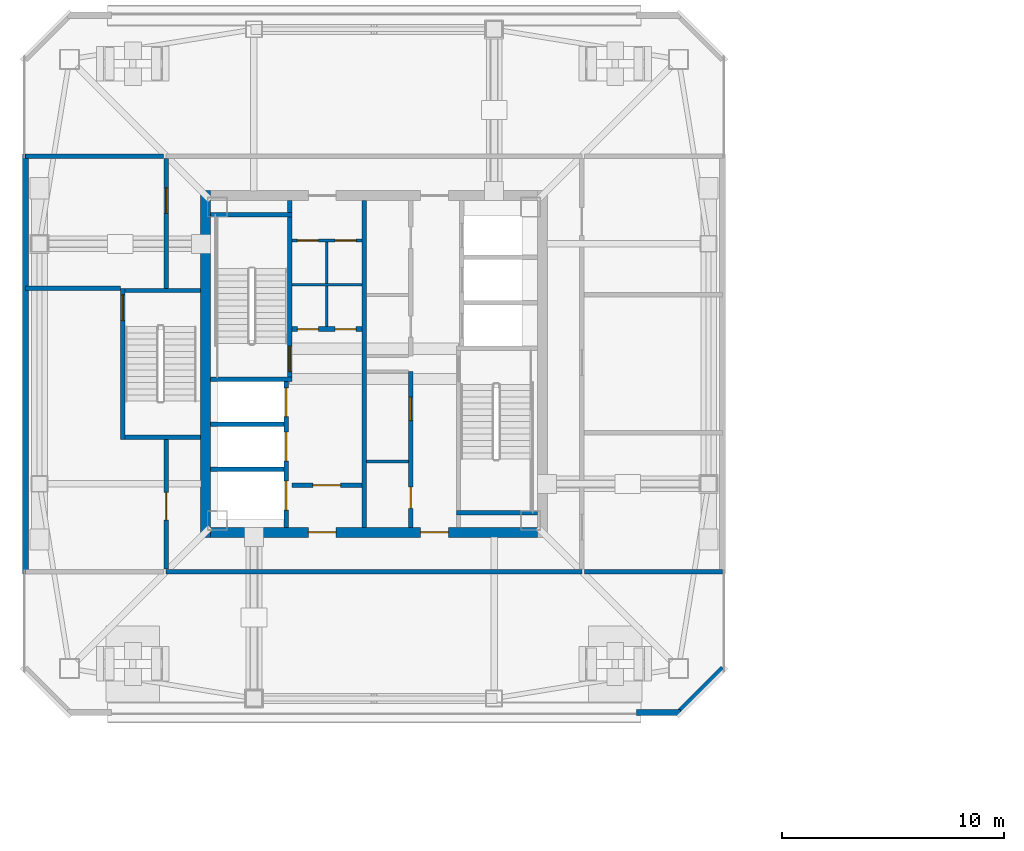
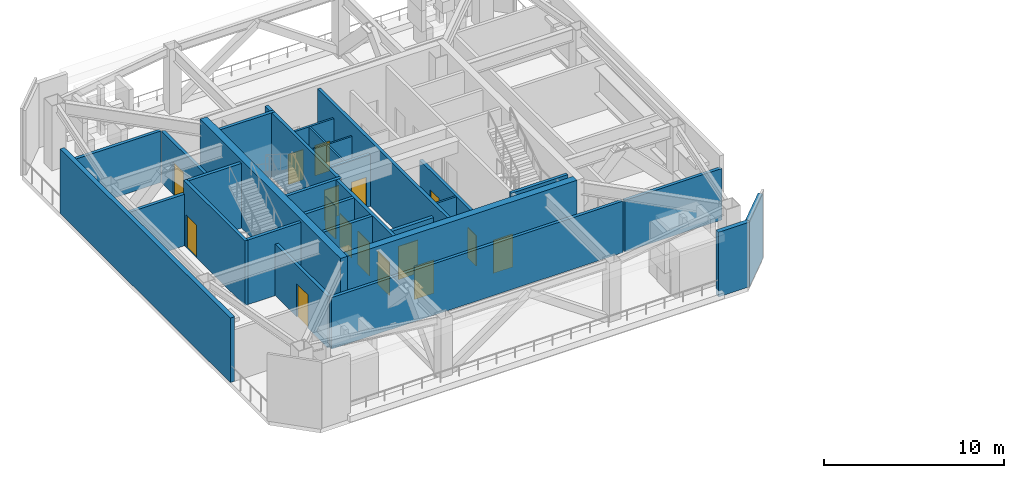
# One storey, part 5 of 15: 29 walls, 16 doors, 16 openings.
"""IFC4 building model written with IfcOpenShell, lengths in metres."""

from ifc_helpers import new_model, si_unit, direction, frame, frame_2d, origin, place, context, subcontext, project, spatial, rectangle, extrude, material, layer, layer_set, type_object, element, fill, save


model = new_model("IFC4")

# Units and contexts
model_context = context("Model", 3, precision=1e-05, world=origin(), true_north=direction((0.0, 1.0)))
body_context = subcontext(model_context, "Body", "Model", "MODEL_VIEW")
ifc_project = project(units=[si_unit("LENGTHUNIT", "METRE"), si_unit("AREAUNIT", "SQUARE_METRE"), si_unit("VOLUMEUNIT", "CUBIC_METRE"), si_unit("PLANEANGLEUNIT", "RADIAN"), si_unit("MASSUNIT", "GRAM", prefix="KILO")], contexts=[model_context])

# Site, building, storey
site_placement = place(None, origin())
site = spatial("IfcSite", under=ifc_project, at=site_placement, CompositionType="ELEMENT")
building_placement = place(site_placement, origin())
building = spatial("IfcBuilding", under=site, at=building_placement, Name="Tashvorn Skyway Center", CompositionType="ELEMENT")
storey_placement = place(building_placement, frame((0.0, 0.0, 246.800048828125)))
storey = spatial("IfcBuildingStorey", under=building, at=storey_placement, Name="L67", CompositionType="ELEMENT", Elevation=246.800048828125)

# Wall
ifc_material_1 = material(Name="Concrete C50/60", Category="concrete")
ifc_layer_1 = layer(ifc_material_1, 0.449951171875)
ifc_layer_set_1 = layer_set([ifc_layer_1], Name="Concrete C50/60")
wall_type_1 = type_object("IfcWallType", Name="WALL-CORE-450", PredefinedType="SHEAR", material=ifc_layer_set_1)
wall_1_placement = place(storey_placement, frame((34.425048828125, 24.199951171875, 0.0), z_axis=(0.0, 0.0, 1.0), x_axis=(0.0, 1.0, 0.0)))
element("IfcWall", 1, at=wall_1_placement, inside=storey, type_object=wall_type_1, Name="Tower 1 L67 West Core Shear Wall", PredefinedType="SHEAR", context=body_context, shape_type="SweptSolid", body=[
    extrude(rectangle(XDim=15.60009765625, YDim=0.449951171875, at=frame_2d((7.800048828125, 0.0))), origin(), (0.0, 0.0, 1.0), 4.599853515625),
])

# Wall, openings, doors
wall_2_placement = place(storey_placement, frame((49.35009765625, 24.425048828125, 0.0), z_axis=(0.0, 0.0, 1.0), x_axis=(-1.0, 0.0, 0.0)))
wall_2 = element("IfcWall", 2, at=wall_2_placement, inside=storey, type_object=wall_type_1, Name="Tower 1 L67 South Core Shear Wall", PredefinedType="SHEAR", context=body_context, shape_type="SweptSolid", body=[
    extrude(rectangle(XDim=14.7001953125, YDim=0.449951171875, at=frame_2d((7.35009765625, 0.0))), origin(), (0.0, 0.0, 1.0), 4.599853515625),
])
opening_1_placement = place(wall_2_placement, frame((9.050048828125, 0.0, 0.0)))
opening_1 = element("IfcOpeningElement", 3, at=opening_1_placement, cuts=wall_2, Name="Opening D-FFL-1250", PredefinedType="OPENING", context=body_context, shape_type="SweptSolid", body=[
    extrude(rectangle(XDim=1.25, YDim=2.25, at=frame_2d((0.625, 1.125))), frame((0.0, 0.23486328125, 0.0), z_axis=(0.0, -1.0, 0.0), x_axis=(1.0, 0.0, 0.0)), (0.0, 0.0, 1.0), 0.469970703125),
])
opening_2_placement = place(wall_2_placement, frame((4.0, 0.0, 0.0)))
opening_2 = element("IfcOpeningElement", 4, at=opening_2_placement, cuts=wall_2, Name="Opening D-FFL-1250", PredefinedType="OPENING", context=body_context, shape_type="SweptSolid", body=[
    extrude(rectangle(XDim=1.25, YDim=2.25, at=frame_2d((0.625, 1.125))), frame((0.0, 0.23486328125, 0.0), z_axis=(0.0, -1.0, 0.0), x_axis=(1.0, 0.0, 0.0)), (0.0, 0.0, 1.0), 0.469970703125),
])
ifc_material_2 = material(Name="Hollow galvanized steel fire door assembly", Category="steel")
door_type_1 = type_object("IfcDoorType", Name="DOOR-FFL-1250", OperationType="NOTDEFINED", PredefinedType="DOOR", material=ifc_material_2)
door_1_placement = place(opening_1_placement, origin())
door_1 = element("IfcDoor", 5, at=door_1_placement, inside=storey, type_object=door_type_1, Name="Tower 1 L67 Core South Firefighting Exit Door", OperationType="SINGLE_SWING_LEFT", OverallHeight=2.25, OverallWidth=1.25, PredefinedType="DOOR", context=body_context, shape_type="SweptSolid", body=[
    extrude(rectangle(XDim=1.25, YDim=2.25, at=frame_2d((0.625, 1.125))), frame((0.0, 0.02490234375, 0.0), z_axis=(0.0, -1.0, 0.0), x_axis=(1.0, 0.0, 0.0)), (0.0, 0.0, 1.0), 0.050048828125),
])
fill(opening_1, door_1)
door_2_placement = place(opening_2_placement, origin())
door_2 = element("IfcDoor", 6, at=door_2_placement, inside=storey, type_object=door_type_1, Name="Tower 1 L67 Core South Lift Lobby Door", OperationType="SINGLE_SWING_RIGHT", OverallHeight=2.25, OverallWidth=1.25, PredefinedType="DOOR", context=body_context, shape_type="SweptSolid", body=[
    extrude(rectangle(XDim=1.25, YDim=2.25, at=frame_2d((0.625, 1.125))), frame((0.0, 0.02490234375, 0.0), z_axis=(0.0, -1.0, 0.0), x_axis=(1.0, 0.0, 0.0)), (0.0, 0.0, 1.0), 0.050048828125),
])
fill(opening_2, door_2)

# Walls
ifc_material_3 = material(Name="Precast concrete C40/50", Category="concrete")
ifc_layer_2 = layer(ifc_material_3, 0.280029296875)
ifc_layer_set_2 = layer_set([ifc_layer_2], Name="Precast concrete C40/50")
wall_type_2 = type_object("IfcWallType", Name="WALL-EXT-280", PredefinedType="SOLIDWALL", material=ifc_layer_set_2)
wall_3_placement = place(storey_placement, frame((55.780029296875, 16.320068359375, 0.0), z_axis=(0.0, 0.0, 1.0), x_axis=(-1.0, 0.0, 0.0)))
element("IfcWall", 7, at=wall_3_placement, inside=storey, type_object=wall_type_2, Name="Tower 1 L67 South Spandrel Pier L", PredefinedType="SOLIDWALL", context=body_context, shape_type="SweptSolid", body=[
    extrude(rectangle(XDim=1.97998046875, YDim=0.280029296875, at=frame_2d((0.989990234375, 0.0))), origin(), (0.0, 0.0, 1.0), 4.3798828125),
])
wall_4_placement = place(storey_placement, frame((26.320068359375, 22.550048828125, 0.0), z_axis=(0.0, 0.0, 1.0), x_axis=(0.0, 1.0, 0.0)))
element("IfcWall", 8, at=wall_4_placement, inside=storey, type_object=wall_type_2, Name="Tower 1 L67 West Plant Wing Wall", PredefinedType="SOLIDWALL", context=body_context, shape_type="SweptSolid", body=[
    extrude(rectangle(XDim=18.89990234375, YDim=0.280029296875, at=frame_2d((9.449951171875, 0.0))), origin(), (0.0, 0.0, 1.0), 4.3798828125),
])
wall_5_placement = place(storey_placement, frame((57.699951171875, 18.300048828125, 0.0), z_axis=(0.0, 0.0, 1.0), x_axis=(-0.707106781187, -0.707106781187, 0.0)))
element("IfcWall", 9, at=wall_5_placement, inside=storey, type_object=wall_type_2, Name="Tower 1 L67 SE Precast Chamfer Wall", PredefinedType="SOLIDWALL", context=body_context, shape_type="SweptSolid", body=[
    extrude(rectangle(XDim=2.828369140625, YDim=0.280029296875, at=frame_2d((1.4140625, 0.0))), origin(), (0.0, 0.0, 1.0), 4.3798828125),
])

# Wall, openings, doors
ifc_material_4 = material(Name="Concrete C40/50", Category="concrete")
ifc_layer_3 = layer(ifc_material_4, 0.219970703125)
ifc_layer_set_3 = layer_set([ifc_layer_3], Name="Concrete C40/50")
wall_type_3 = type_object("IfcWallType", Name="WALL-FFL-220", PredefinedType="SOLIDWALL", material=ifc_layer_set_3)
wall_6_placement = place(storey_placement, frame((38.300048828125, 33.56005859375, 0.0), z_axis=(0.0, 0.0, 1.0), x_axis=(1.0, 0.0, 0.0)))
wall_6 = element("IfcWall", 10, at=wall_6_placement, inside=storey, type_object=wall_type_3, Name="Tower 1 L67 Firefighting Lobby North Wall", PredefinedType="SOLIDWALL", context=body_context, shape_type="SweptSolid", body=[
    extrude(rectangle(XDim=3.14990234375, YDim=0.219970703125, at=frame_2d((1.574951171875, 0.0))), origin(), (0.0, 0.0, 1.0), 3.490966796875),
])
opening_3_placement = place(wall_6_placement, frame((0.25, 0.0, 0.0)))
opening_3 = element("IfcOpeningElement", 11, at=opening_3_placement, cuts=wall_6, Name="Opening D-RT-950", PredefinedType="OPENING", context=body_context, shape_type="SweptSolid", body=[
    extrude(rectangle(XDim=0.949951171875, YDim=2.050048828125, at=frame_2d((0.47509765625, 1.02490234375))), frame((0.0, 0.119873046875, 0.0), z_axis=(0.0, -1.0, 0.0), x_axis=(1.0, 0.0, 0.0)), (0.0, 0.0, 1.0), 0.239990234375),
])
opening_4_placement = place(wall_6_placement, frame((1.949951171875, 0.0, 0.0)))
opening_4 = element("IfcOpeningElement", 12, at=opening_4_placement, cuts=wall_6, Name="Opening D-RT-950", PredefinedType="OPENING", context=body_context, shape_type="SweptSolid", body=[
    extrude(rectangle(XDim=0.949951171875, YDim=2.050048828125, at=frame_2d((0.47509765625, 1.02490234375))), frame((0.0, 0.119873046875, 0.0), z_axis=(0.0, -1.0, 0.0), x_axis=(1.0, 0.0, 0.0)), (0.0, 0.0, 1.0), 0.239990234375),
])
door_type_2 = type_object("IfcDoorType", Name="DOOR-RATED-950", OperationType="NOTDEFINED", PredefinedType="DOOR", material=ifc_material_2)
door_3_placement = place(opening_3_placement, origin())
door_3 = element("IfcDoor", 13, at=door_3_placement, inside=storey, type_object=door_type_2, Name="Tower 1 L67 Core Mail Room Door", OperationType="SINGLE_SWING_LEFT", OverallHeight=2.050048828125, OverallWidth=0.949951171875, PredefinedType="DOOR", context=body_context, shape_type="SweptSolid", body=[
    extrude(rectangle(XDim=0.949951171875, YDim=2.050048828125, at=frame_2d((0.47509765625, 1.02490234375))), frame((0.0, 0.02490234375, 0.0), z_axis=(0.0, -1.0, 0.0), x_axis=(1.0, 0.0, 0.0)), (0.0, 0.0, 1.0), 0.050048828125),
])
fill(opening_3, door_3)
door_4_placement = place(opening_4_placement, origin())
door_4 = element("IfcDoor", 14, at=door_4_placement, inside=storey, type_object=door_type_2, Name="Tower 1 L67 Core Supply Closet Door", OperationType="SINGLE_SWING_RIGHT", OverallHeight=2.050048828125, OverallWidth=0.949951171875, PredefinedType="DOOR", context=body_context, shape_type="SweptSolid", body=[
    extrude(rectangle(XDim=0.949951171875, YDim=2.050048828125, at=frame_2d((0.47509765625, 1.02490234375))), frame((0.0, 0.02490234375, 0.0), z_axis=(0.0, -1.0, 0.0), x_axis=(1.0, 0.0, 0.0)), (0.0, 0.0, 1.0), 0.050048828125),
])
fill(opening_4, door_4)

# Wall, opening, door
wall_7_placement = place(storey_placement, frame((38.300048828125, 26.5400390625, 0.0), z_axis=(0.0, 0.0, 1.0), x_axis=(1.0, 0.0, 0.0)))
wall_7 = element("IfcWall", 15, at=wall_7_placement, inside=storey, type_object=wall_type_3, Name="Tower 1 L67 Firefighting Lobby South Wall", PredefinedType="SOLIDWALL", context=body_context, shape_type="SweptSolid", body=[
    extrude(rectangle(XDim=3.14990234375, YDim=0.219970703125, at=frame_2d((1.574951171875, 0.0))), origin(), (0.0, 0.0, 1.0), 3.490966796875),
])
opening_5_placement = place(wall_7_placement, frame((0.949951171875, 0.0, 0.0)))
opening_5 = element("IfcOpeningElement", 16, at=opening_5_placement, cuts=wall_7, Name="Opening D-FFL-1250", PredefinedType="OPENING", context=body_context, shape_type="SweptSolid", body=[
    extrude(rectangle(XDim=1.25, YDim=2.25, at=frame_2d((0.625, 1.125))), frame((0.0, 0.119873046875, 0.0), z_axis=(0.0, -1.0, 0.0), x_axis=(1.0, 0.0, 0.0)), (0.0, 0.0, 1.0), 0.239990234375),
])
door_5_placement = place(opening_5_placement, origin())
door_5 = element("IfcDoor", 17, at=door_5_placement, inside=storey, type_object=door_type_1, Name="Tower 1 L67 Firefighting Lobby Egress Door", OperationType="SINGLE_SWING_LEFT", OverallHeight=2.25, OverallWidth=1.25, PredefinedType="DOOR", context=body_context, shape_type="SweptSolid", body=[
    extrude(rectangle(XDim=1.25, YDim=2.25, at=frame_2d((0.625, 1.125))), frame((0.0, 0.02490234375, 0.0), z_axis=(0.0, -1.0, 0.0), x_axis=(1.0, 0.0, 0.0)), (0.0, 0.0, 1.0), 0.050048828125),
])
fill(opening_5, door_5)

# Walls
ifc_material_5 = material(Name="Gypsum board on cold-formed steel stud framing", Category="steel")
ifc_layer_4 = layer(ifc_material_5, 0.110107421875)
ifc_layer_set_4 = layer_set([ifc_layer_4], Name="Gypsum board on cold-formed steel stud framing")
wall_type_4 = type_object("IfcWallType", Name="WALL-RATED-110", PredefinedType="PARTITIONING", material=ifc_layer_set_4)
wall_8_placement = place(storey_placement, frame((39.8798828125, 33.679931640625, 0.0), z_axis=(0.0, 0.0, 1.0), x_axis=(0.0, 1.0, 0.0)))
element("IfcWall", 18, at=wall_8_placement, inside=storey, type_object=wall_type_4, Name="Tower 1 L67 Core Cross Vertical", PredefinedType="PARTITIONING", context=body_context, shape_type="SweptSolid", body=[
    extrude(rectangle(XDim=3.800048828125, YDim=0.110107421875, at=frame_2d((1.89990234375, 0.0))), origin(), (0.0, 0.0, 1.0), 3.490966796875),
])
wall_9_placement = place(storey_placement, frame((38.300048828125, 35.550048828125, 0.0), z_axis=(0.0, 0.0, 1.0), x_axis=(1.0, 0.0, 0.0)))
element("IfcWall", 19, at=wall_9_placement, inside=storey, type_object=wall_type_4, Name="Tower 1 L67 Core Cross Horizontal", PredefinedType="PARTITIONING", context=body_context, shape_type="SweptSolid", body=[
    extrude(rectangle(XDim=3.14990234375, YDim=0.110107421875, at=frame_2d((1.574951171875, 0.0))), origin(), (0.0, 0.0, 1.0), 3.490966796875),
])

# Wall, openings, doors
ifc_layer_5 = layer(ifc_material_5, 0.135009765625)
ifc_layer_set_5 = layer_set([ifc_layer_5], Name="Gypsum board on cold-formed steel stud framing")
wall_type_5 = type_object("IfcWallType", Name="WALL-RATED-135", PredefinedType="PARTITIONING", material=ifc_layer_set_5)
wall_10_placement = place(storey_placement, frame((38.300048828125, 37.550048828125, 0.0), z_axis=(0.0, 0.0, 1.0), x_axis=(1.0, 0.0, 0.0)))
wall_10 = element("IfcWall", 20, at=wall_10_placement, inside=storey, type_object=wall_type_5, Name="Tower 1 L67 Core Service Lobby Wall", PredefinedType="PARTITIONING", context=body_context, shape_type="SweptSolid", body=[
    extrude(rectangle(XDim=3.14990234375, YDim=0.135009765625, at=frame_2d((1.574951171875, 0.0))), origin(), (0.0, 0.0, 1.0), 3.490966796875),
])
opening_6_placement = place(wall_10_placement, frame((0.25, 0.0, 0.0)))
opening_6 = element("IfcOpeningElement", 21, at=opening_6_placement, cuts=wall_10, Name="Opening D-RT-950", PredefinedType="OPENING", context=body_context, shape_type="SweptSolid", body=[
    extrude(rectangle(XDim=0.949951171875, YDim=2.050048828125, at=frame_2d((0.47509765625, 1.02490234375))), frame((0.0, 0.077392578125, 0.0), z_axis=(0.0, -1.0, 0.0), x_axis=(1.0, 0.0, 0.0)), (0.0, 0.0, 1.0), 0.155029296875),
])
opening_7_placement = place(wall_10_placement, frame((1.949951171875, 0.0, 0.0)))
opening_7 = element("IfcOpeningElement", 22, at=opening_7_placement, cuts=wall_10, Name="Opening D-RT-950", PredefinedType="OPENING", context=body_context, shape_type="SweptSolid", body=[
    extrude(rectangle(XDim=0.949951171875, YDim=2.050048828125, at=frame_2d((0.47509765625, 1.02490234375))), frame((0.0, 0.077392578125, 0.0), z_axis=(0.0, -1.0, 0.0), x_axis=(1.0, 0.0, 0.0)), (0.0, 0.0, 1.0), 0.155029296875),
])
door_6_placement = place(opening_6_placement, origin())
door_6 = element("IfcDoor", 23, at=door_6_placement, inside=storey, type_object=door_type_2, Name="Tower 1 L67 Core Cleaner Store Door", OperationType="SINGLE_SWING_LEFT", OverallHeight=2.050048828125, OverallWidth=0.949951171875, PredefinedType="DOOR", context=body_context, shape_type="SweptSolid", body=[
    extrude(rectangle(XDim=0.949951171875, YDim=2.050048828125, at=frame_2d((0.47509765625, 1.02490234375))), frame((0.0, 0.02490234375, 0.0), z_axis=(0.0, -1.0, 0.0), x_axis=(1.0, 0.0, 0.0)), (0.0, 0.0, 1.0), 0.050048828125),
])
fill(opening_6, door_6)
door_7_placement = place(opening_7_placement, origin())
door_7 = element("IfcDoor", 24, at=door_7_placement, inside=storey, type_object=door_type_2, Name="Tower 1 L67 Core Accessible WC Door", OperationType="SINGLE_SWING_RIGHT", OverallHeight=2.050048828125, OverallWidth=0.949951171875, PredefinedType="DOOR", context=body_context, shape_type="SweptSolid", body=[
    extrude(rectangle(XDim=0.949951171875, YDim=2.050048828125, at=frame_2d((0.47509765625, 1.02490234375))), frame((0.0, 0.02490234375, 0.0), z_axis=(0.0, -1.0, 0.0), x_axis=(1.0, 0.0, 0.0)), (0.0, 0.0, 1.0), 0.050048828125),
])
fill(opening_7, door_7)

# Walls
wall_11_placement = place(storey_placement, frame((41.669921875, 27.60009765625, 0.0), z_axis=(0.0, 0.0, 1.0), x_axis=(1.0, 0.0, 0.0)))
element("IfcWall", 25, at=wall_11_placement, inside=storey, type_object=wall_type_5, Name="Tower 1 L67 Freed Core Partition", PredefinedType="PARTITIONING", context=body_context, shape_type="SweptSolid", body=[
    extrude(rectangle(XDim=1.880126953125, YDim=0.135009765625, at=frame_2d((0.93994140625, 0.0))), origin(), (0.0, 0.0, 1.0), 3.490966796875),
])
ifc_layer_6 = layer(ifc_material_4, 0.199951171875)
ifc_layer_set_6 = layer_set([ifc_layer_6], Name="Concrete C40/50")
wall_type_6 = type_object("IfcWallType", Name="WALL-SHAFT-200", PredefinedType="SOLIDWALL", material=ifc_layer_set_6)
for number, where, z_axis, x_axis, name in (
    (26, (34.64990234375, 27.25, 0.0), (0.0, 0.0, 1.0), (1.0, 0.0, 0.0), "Tower 1 L67 FSAE Shaft Divider"),
    (27, (34.64990234375, 29.280029296875, 0.0), (0.0, 0.0, 1.0), (1.0, 0.0, 0.0), "Tower 1 L67 FSAE Shaft Divider"),
):
    element("IfcWall", number, at=place(storey_placement, frame(where, z_axis=z_axis, x_axis=x_axis)), inside=storey, type_object=wall_type_6, Name=name, PredefinedType="SOLIDWALL", context=body_context, shape_type="SweptSolid", body=[
        extrude(rectangle(XDim=3.300048828125, YDim=0.199951171875, at=frame_2d((1.64990234375, 0.0))), origin(), (0.0, 0.0, 1.0), 4.3798828125),
    ])

# Wall, openings, doors
wall_12_placement = place(storey_placement, frame((43.64990234375, 24.64990234375, 0.0), z_axis=(0.0, 0.0, 1.0), x_axis=(0.0, 1.0, 0.0)))
wall_12 = element("IfcWall", 28, at=wall_12_placement, inside=storey, type_object=wall_type_6, Name="Tower 1 L67 Low-Rise Core Wall", PredefinedType="SOLIDWALL", context=body_context, shape_type="SweptSolid", body=[
    extrude(rectangle(XDim=7.0, YDim=0.199951171875, at=frame_2d((3.5, 0.0))), origin(), (0.0, 0.0, 1.0), 3.490966796875),
])
opening_8_placement = place(wall_12_placement, frame((0.85009765625, 0.0, 0.0)))
opening_8 = element("IfcOpeningElement", 29, at=opening_8_placement, cuts=wall_12, Name="Opening D-RT-950", PredefinedType="OPENING", context=body_context, shape_type="SweptSolid", body=[
    extrude(rectangle(XDim=0.949951171875, YDim=2.050048828125, at=frame_2d((0.47509765625, 1.02490234375))), frame((0.0, 0.10986328125, 0.0), z_axis=(0.0, -1.0, 0.0), x_axis=(1.0, 0.0, 0.0)), (0.0, 0.0, 1.0), 0.219970703125),
])
opening_9_placement = place(wall_12_placement, frame((4.800048828125, 0.0, 0.0)))
opening_9 = element("IfcOpeningElement", 30, at=opening_9_placement, cuts=wall_12, Name="Opening D-RT-1050", PredefinedType="OPENING", context=body_context, shape_type="SweptSolid", body=[
    extrude(rectangle(XDim=1.050048828125, YDim=2.199951171875, at=frame_2d((0.52490234375, 1.10009765625))), frame((0.0, 0.10986328125, 0.0), z_axis=(0.0, -1.0, 0.0), x_axis=(1.0, 0.0, 0.0)), (0.0, 0.0, 1.0), 0.219970703125),
])
door_type_3 = type_object("IfcDoorType", Name="DOOR-RATED-1050", OperationType="NOTDEFINED", PredefinedType="DOOR", material=ifc_material_2)
door_8_placement = place(opening_9_placement, origin())
door_8 = element("IfcDoor", 31, at=door_8_placement, inside=storey, type_object=door_type_3, Name="Tower 1 L67 Freed Core Room Door", OperationType="SINGLE_SWING_RIGHT", OverallHeight=2.199951171875, OverallWidth=1.050048828125, PredefinedType="DOOR", context=body_context, shape_type="SweptSolid", body=[
    extrude(rectangle(XDim=1.050048828125, YDim=2.199951171875, at=frame_2d((0.52490234375, 1.10009765625))), frame((0.0, 0.02490234375, 0.0), z_axis=(0.0, -1.0, 0.0), x_axis=(1.0, 0.0, 0.0)), (0.0, 0.0, 1.0), 0.050048828125),
])
fill(opening_9, door_8)
door_9_placement = place(opening_8_placement, origin())
door_9 = element("IfcDoor", 32, at=door_9_placement, inside=storey, type_object=door_type_2, Name="Tower 1 L67 Core Print Room Door", OperationType="SINGLE_SWING_LEFT", OverallHeight=2.050048828125, OverallWidth=0.949951171875, PredefinedType="DOOR", context=body_context, shape_type="SweptSolid", body=[
    extrude(rectangle(XDim=0.949951171875, YDim=2.050048828125, at=frame_2d((0.47509765625, 1.02490234375))), frame((0.0, 0.02490234375, 0.0), z_axis=(0.0, -1.0, 0.0), x_axis=(1.0, 0.0, 0.0)), (0.0, 0.0, 1.0), 0.050048828125),
])
fill(opening_8, door_9)

# Wall
wall_13_placement = place(storey_placement, frame((51.35009765625, 22.64990234375, 0.0), z_axis=(0.0, 0.0, 1.0), x_axis=(-1.0, 0.0, 0.0)))
element("IfcWall", 33, at=wall_13_placement, inside=storey, type_object=wall_type_6, Name="Tower 1 L67 Plant Collar South Wall", PredefinedType="SOLIDWALL", context=body_context, shape_type="SweptSolid", body=[
    extrude(rectangle(XDim=18.7001953125, YDim=0.199951171875, at=frame_2d((9.35009765625, 0.0))), origin(), (0.0, 0.0, 1.0), 3.490966796875),
])

# Wall, opening, door
wall_14_placement = place(storey_placement, frame((32.64990234375, 22.77001953125, 0.0), z_axis=(0.0, 0.0, 1.0), x_axis=(0.0, 1.0, 0.0)))
wall_14 = element("IfcWall", 34, at=wall_14_placement, inside=storey, type_object=wall_type_6, Name="Tower 1 L67 Plant Collar West Wall", PredefinedType="SOLIDWALL", context=body_context, shape_type="SweptSolid", body=[
    extrude(rectangle(XDim=5.830078125, YDim=0.199951171875, at=frame_2d((2.9150390625, 0.0))), origin(), (0.0, 0.0, 1.0), 3.490966796875),
])
opening_10_placement = place(wall_14_placement, frame((2.199951171875, 0.0, 0.0)))
opening_10 = element("IfcOpeningElement", 35, at=opening_10_placement, cuts=wall_14, Name="Opening D-FFL-1250", PredefinedType="OPENING", context=body_context, shape_type="SweptSolid", body=[
    extrude(rectangle(XDim=1.25, YDim=2.25, at=frame_2d((0.625, 1.125))), frame((0.0, 0.10986328125, 0.0), z_axis=(0.0, -1.0, 0.0), x_axis=(1.0, 0.0, 0.0)), (0.0, 0.0, 1.0), 0.219970703125),
])
door_10_placement = place(opening_10_placement, origin())
door_10 = element("IfcDoor", 36, at=door_10_placement, inside=storey, type_object=door_type_1, Name="Tower 1 L67 West Refuge Area Door", OperationType="SINGLE_SWING_LEFT", OverallHeight=2.25, OverallWidth=1.25, PredefinedType="DOOR", context=body_context, shape_type="SweptSolid", body=[
    extrude(rectangle(XDim=1.25, YDim=2.25, at=frame_2d((0.625, 1.125))), frame((0.0, 0.02490234375, 0.0), z_axis=(0.0, -1.0, 0.0), x_axis=(1.0, 0.0, 0.0)), (0.0, 0.0, 1.0), 0.050048828125),
])
fill(opening_10, door_10)

wall_15_placement = place(storey_placement, frame((32.64990234375, 35.39990234375, 0.0), z_axis=(0.0, 0.0, 1.0), x_axis=(0.0, 1.0, 0.0)))
wall_15 = element("IfcWall", 37, at=wall_15_placement, inside=storey, type_object=wall_type_6, Name="Tower 1 L67 Plant Collar West Wall North", PredefinedType="SOLIDWALL", context=body_context, shape_type="SweptSolid", body=[
    extrude(rectangle(XDim=5.830078125, YDim=0.199951171875, at=frame_2d((2.9150390625, 0.0))), origin(), (0.0, 0.0, 1.0), 3.490966796875),
])
opening_11_placement = place(wall_15_placement, frame((3.3701171875, 0.0, 0.0)))
opening_11 = element("IfcOpeningElement", 38, at=opening_11_placement, cuts=wall_15, Name="Opening D-ST-1150", PredefinedType="OPENING", context=body_context, shape_type="SweptSolid", body=[
    extrude(rectangle(XDim=1.14990234375, YDim=2.199951171875, at=frame_2d((0.574951171875, 1.10009765625))), frame((0.0, 0.10986328125, 0.0), z_axis=(0.0, -1.0, 0.0), x_axis=(1.0, 0.0, 0.0)), (0.0, 0.0, 1.0), 0.219970703125),
])
door_type_4 = type_object("IfcDoorType", Name="DOOR-STAIR-1150", OperationType="NOTDEFINED", PredefinedType="DOOR", material=ifc_material_2)
door_11_placement = place(opening_11_placement, origin())
door_11 = element("IfcDoor", 39, at=door_11_placement, inside=storey, type_object=door_type_4, Name="Tower 1 L67 Turbine Control Plant Door", OperationType="SINGLE_SWING_RIGHT", OverallHeight=2.199951171875, OverallWidth=1.14990234375, PredefinedType="DOOR", context=body_context, shape_type="SweptSolid", body=[
    extrude(rectangle(XDim=1.14990234375, YDim=2.199951171875, at=frame_2d((0.574951171875, 1.10009765625))), frame((0.0, 0.02490234375, 0.0), z_axis=(0.0, -1.0, 0.0), x_axis=(1.0, 0.0, 0.0)), (0.0, 0.0, 1.0), 0.050048828125),
])
fill(opening_11, door_11)

# Walls
for number, where, z_axis, x_axis, name in (
    (40, (51.469970703125, 22.64990234375, 0.0), (0.0, 0.0, 1.0), (1.0, 0.0, 0.0), "Tower 1 L67 Plant Wing Wall ES"),
    (41, (26.320068359375, 41.35009765625, 0.0), (0.0, 0.0, 1.0), (1.0, 0.0, 0.0), "Tower 1 L67 Plant Wing Wall WN"),
):
    element("IfcWall", number, at=place(storey_placement, frame(where, z_axis=z_axis, x_axis=x_axis)), inside=storey, type_object=wall_type_6, Name=name, PredefinedType="SOLIDWALL", context=body_context, shape_type="SweptSolid", body=[
        extrude(rectangle(XDim=6.2099609375, YDim=0.199951171875, at=frame_2d((3.10498046875, 0.0))), origin(), (0.0, 0.0, 1.0), 3.490966796875),
    ])
wall_16_placement = place(storey_placement, frame((26.320068359375, 35.39990234375, 0.0), z_axis=(0.0, 0.0, 1.0), x_axis=(1.0, 0.0, 0.0)))
element("IfcWall", 42, at=wall_16_placement, inside=storey, type_object=wall_type_6, Name="Tower 1 L67 Plant Wing Wall WM1", PredefinedType="SOLIDWALL", context=body_context, shape_type="SweptSolid", body=[
    extrude(rectangle(XDim=4.280029296875, YDim=0.199951171875, at=frame_2d((2.14013671875, 0.0))), origin(), (0.0, 0.0, 1.0), 3.490966796875),
])

# Wall, opening, door
ifc_layer_7 = layer(ifc_material_4, 0.199951171875)
ifc_layer_set_7 = layer_set([ifc_layer_7], Name="Concrete C40/50")
wall_type_7 = type_object("IfcWallType", Name="WALL-STSHF-200", PredefinedType="SHEAR", material=ifc_layer_set_7)
wall_17_placement = place(storey_placement, frame((38.199951171875, 31.199951171875, 0.0), z_axis=(0.0, 0.0, 1.0), x_axis=(0.0, 1.0, 0.0)))
wall_17 = element("IfcWall", 43, at=wall_17_placement, inside=storey, type_object=wall_type_7, Name="Tower 1 L67 Stair 1 Enclosure Wall", PredefinedType="SHEAR", context=body_context, shape_type="SweptSolid", body=[
    extrude(rectangle(XDim=8.150146484375, YDim=0.199951171875, at=frame_2d((4.0751953125, 0.0))), origin(), (0.0, 0.0, 1.0), 4.3798828125),
])
opening_12_placement = place(wall_17_placement, frame((0.449951171875, 0.0, 0.0)))
opening_12 = element("IfcOpeningElement", 44, at=opening_12_placement, cuts=wall_17, Name="Opening D-ST-1150", PredefinedType="OPENING", context=body_context, shape_type="SweptSolid", body=[
    extrude(rectangle(XDim=1.14990234375, YDim=2.199951171875, at=frame_2d((0.574951171875, 1.10009765625))), frame((0.0, 0.10986328125, 0.0), z_axis=(0.0, -1.0, 0.0), x_axis=(1.0, 0.0, 0.0)), (0.0, 0.0, 1.0), 0.219970703125),
])
door_12_placement = place(opening_12_placement, origin())
door_12 = element("IfcDoor", 45, at=door_12_placement, inside=storey, type_object=door_type_4, Name="Tower 1 L67 Exit Stair 1 Door", OperationType="SINGLE_SWING_RIGHT", OverallHeight=2.199951171875, OverallWidth=1.14990234375, PredefinedType="DOOR", context=body_context, shape_type="SweptSolid", body=[
    extrude(rectangle(XDim=1.14990234375, YDim=2.199951171875, at=frame_2d((0.574951171875, 1.10009765625))), frame((0.0, 0.02490234375, 0.0), z_axis=(0.0, -1.0, 0.0), x_axis=(1.0, 0.0, 0.0)), (0.0, 0.0, 1.0), 0.050048828125),
])
fill(opening_12, door_12)

# Walls
for number, where, z_axis, x_axis, name in (
    (46, (34.64990234375, 31.300048828125, 0.0), (0.0, 0.0, 1.0), (1.0, 0.0, 0.0), "Tower 1 L67 Stair 1 South Wall"),
    (47, (34.64990234375, 38.699951171875, 0.0), (0.0, 0.0, 1.0), (1.0, 0.0, 0.0), "Tower 1 L67 Stair 1 North Wall"),
    (48, (45.699951171875, 25.300048828125, 0.0), (0.0, 0.0, 1.0), (1.0, 0.0, 0.0), "Tower 1 L67 Stair 2 South Wall"),
):
    element("IfcWall", number, at=place(storey_placement, frame(where, z_axis=z_axis, x_axis=x_axis)), inside=storey, type_object=wall_type_7, Name=name, PredefinedType="SHEAR", context=body_context, shape_type="SweptSolid", body=[
        extrude(rectangle(XDim=3.650146484375, YDim=0.199951171875, at=frame_2d((1.8251953125, 0.0))), origin(), (0.0, 0.0, 1.0), 4.3798828125),
    ])
wall_18_placement = place(storey_placement, frame((41.56005859375, 24.64990234375, 0.0), z_axis=(0.0, 0.0, 1.0), x_axis=(0.0, 1.0, 0.0)))
element("IfcWall", 49, at=wall_18_placement, inside=storey, type_object=wall_type_7, Name="Tower 1 L67 Firefighting Lobby East Smoke Barrier", PredefinedType="SHEAR", context=body_context, shape_type="SweptSolid", body=[
    extrude(rectangle(XDim=14.7001953125, YDim=0.199951171875, at=frame_2d((7.35009765625, 0.0))), origin(), (0.0, 0.0, 1.0), 4.3798828125),
])

# Wall, openings, doors
wall_19_placement = place(storey_placement, frame((38.050048828125, 24.64990234375, 0.0), z_axis=(0.0, 0.0, 1.0), x_axis=(0.0, 1.0, 0.0)))
wall_19 = element("IfcWall", 50, at=wall_19_placement, inside=storey, type_object=wall_type_7, Name="Tower 1 L67 FSAE and Goods Shaft Front Wall", PredefinedType="SHEAR", context=body_context, shape_type="SweptSolid", body=[
    extrude(rectangle(XDim=6.550048828125, YDim=0.199951171875, at=frame_2d((3.27490234375, 0.0))), origin(), (0.0, 0.0, 1.0), 4.3798828125),
])
opening_13_placement = place(wall_19_placement, frame((4.97509765625, 0.0, 0.0)))
opening_13 = element("IfcOpeningElement", 51, at=opening_13_placement, cuts=wall_19, Name="Opening LD-FF-T1-1-L67", PredefinedType="OPENING", context=body_context, shape_type="SweptSolid", body=[
    extrude(rectangle(XDim=1.300048828125, YDim=2.25, at=frame_2d((0.64990234375, 1.125))), frame((0.0, 0.10986328125, 0.0), z_axis=(0.0, -1.0, 0.0), x_axis=(1.0, 0.0, 0.0)), (0.0, 0.0, 1.0), 0.219970703125),
])
opening_14_placement = place(wall_19_placement, frame((2.97509765625, 0.0, 0.0)))
opening_14 = element("IfcOpeningElement", 52, at=opening_14_placement, cuts=wall_19, Name="Opening LD-FF-T1-2-L67", PredefinedType="OPENING", context=body_context, shape_type="SweptSolid", body=[
    extrude(rectangle(XDim=1.300048828125, YDim=2.25, at=frame_2d((0.64990234375, 1.125))), frame((0.0, 0.10986328125, 0.0), z_axis=(0.0, -1.0, 0.0), x_axis=(1.0, 0.0, 0.0)), (0.0, 0.0, 1.0), 0.219970703125),
])
opening_15_placement = place(wall_19_placement, frame((0.77490234375, 0.0, 0.0)))
opening_15 = element("IfcOpeningElement", 53, at=opening_15_placement, cuts=wall_19, Name="Opening LD-GD-T1-1-L67", PredefinedType="OPENING", context=body_context, shape_type="SweptSolid", body=[
    extrude(rectangle(XDim=1.300048828125, YDim=2.25, at=frame_2d((0.64990234375, 1.125))), frame((0.0, 0.10986328125, 0.0), z_axis=(0.0, -1.0, 0.0), x_axis=(1.0, 0.0, 0.0)), (0.0, 0.0, 1.0), 0.219970703125),
])
ifc_material_6 = material(Name="Stainless steel heavy-duty landing door", Category="steel")
door_type_5 = type_object("IfcDoorType", Name="DOOR-LIFT-1300", OperationType="SLIDING_TO_LEFT", PredefinedType="DOOR", material=ifc_material_6)
door_13_placement = place(opening_13_placement, origin())
door_13 = element("IfcDoor", 54, at=door_13_placement, inside=storey, type_object=door_type_5, Name="Lift FF-T1-1 L67 Landing Door", OperationType="SLIDING_TO_LEFT", OverallHeight=2.25, OverallWidth=1.300048828125, PredefinedType="DOOR", context=body_context, shape_type="SweptSolid", body=[
    extrude(rectangle(XDim=1.300048828125, YDim=2.25, at=frame_2d((0.64990234375, 1.125))), frame((0.0, 0.02490234375, 0.0), z_axis=(0.0, -1.0, 0.0), x_axis=(1.0, 0.0, 0.0)), (0.0, 0.0, 1.0), 0.050048828125),
])
fill(opening_13, door_13)
door_14_placement = place(opening_14_placement, origin())
door_14 = element("IfcDoor", 55, at=door_14_placement, inside=storey, type_object=door_type_5, Name="Lift FF-T1-2 L67 Landing Door", OperationType="SLIDING_TO_LEFT", OverallHeight=2.25, OverallWidth=1.300048828125, PredefinedType="DOOR", context=body_context, shape_type="SweptSolid", body=[
    extrude(rectangle(XDim=1.300048828125, YDim=2.25, at=frame_2d((0.64990234375, 1.125))), frame((0.0, 0.02490234375, 0.0), z_axis=(0.0, -1.0, 0.0), x_axis=(1.0, 0.0, 0.0)), (0.0, 0.0, 1.0), 0.050048828125),
])
fill(opening_14, door_14)
door_15_placement = place(opening_15_placement, origin())
door_15 = element("IfcDoor", 56, at=door_15_placement, inside=storey, type_object=door_type_5, Name="Lift GD-T1-1 L67 Landing Door", OperationType="SLIDING_TO_LEFT", OverallHeight=2.25, OverallWidth=1.300048828125, PredefinedType="DOOR", context=body_context, shape_type="SweptSolid", body=[
    extrude(rectangle(XDim=1.300048828125, YDim=2.25, at=frame_2d((0.64990234375, 1.125))), frame((0.0, 0.02490234375, 0.0), z_axis=(0.0, -1.0, 0.0), x_axis=(1.0, 0.0, 0.0)), (0.0, 0.0, 1.0), 0.050048828125),
])
fill(opening_15, door_15)

# Wall, opening, door
wall_20_placement = place(storey_placement, frame((30.699951171875, 35.39990234375, 0.0), z_axis=(0.0, 0.0, 1.0), x_axis=(0.0, -1.0, 0.0)))
wall_20 = element("IfcWall", 57, at=wall_20_placement, inside=storey, type_object=wall_type_7, Name="Tower 1 L67 Stair 3 Outer Wall", PredefinedType="SHEAR", context=body_context, shape_type="SweptSolid", body=[
    extrude(rectangle(XDim=6.7998046875, YDim=0.199951171875, at=frame_2d((3.39990234375, 0.0))), origin(), (0.0, 0.0, 1.0), 4.3798828125),
])
opening_16_placement = place(wall_20_placement, frame((0.300048828125, 0.0, 0.0)))
opening_16 = element("IfcOpeningElement", 58, at=opening_16_placement, cuts=wall_20, Name="Opening D-ST-1150", PredefinedType="OPENING", context=body_context, shape_type="SweptSolid", body=[
    extrude(rectangle(XDim=1.14990234375, YDim=2.199951171875, at=frame_2d((0.574951171875, 1.10009765625))), frame((0.0, 0.10986328125, 0.0), z_axis=(0.0, -1.0, 0.0), x_axis=(1.0, 0.0, 0.0)), (0.0, 0.0, 1.0), 0.219970703125),
])
door_16_placement = place(opening_16_placement, origin())
door_16 = element("IfcDoor", 59, at=door_16_placement, inside=storey, type_object=door_type_4, Name="Tower 1 L67 Exit Stair 3 Door", OperationType="SINGLE_SWING_LEFT", OverallHeight=2.199951171875, OverallWidth=1.14990234375, PredefinedType="DOOR", context=body_context, shape_type="SweptSolid", body=[
    extrude(rectangle(XDim=1.14990234375, YDim=2.199951171875, at=frame_2d((0.574951171875, 1.10009765625))), frame((0.0, 0.02490234375, 0.0), z_axis=(0.0, -1.0, 0.0), x_axis=(1.0, 0.0, 0.0)), (0.0, 0.0, 1.0), 0.050048828125),
])
fill(opening_16, door_16)

# Walls
for number, where, z_axis, x_axis, name in (
    (60, (34.199951171875, 35.300048828125, 0.0), (0.0, 0.0, 1.0), (-1.0, 0.0, 0.0), "Tower 1 L67 Stair 3 Enclosure Wall"),
    (61, (30.800048828125, 28.699951171875, 0.0), (0.0, 0.0, 1.0), (1.0, 0.0, 0.0), "Tower 1 L67 Stair 3 South Wall"),
):
    element("IfcWall", number, at=place(storey_placement, frame(where, z_axis=z_axis, x_axis=x_axis)), inside=storey, type_object=wall_type_7, Name=name, PredefinedType="SHEAR", context=body_context, shape_type="SweptSolid", body=[
        extrude(rectangle(XDim=3.39990234375, YDim=0.199951171875, at=frame_2d((1.699951171875, 0.0))), origin(), (0.0, 0.0, 1.0), 4.3798828125),
    ])

save(model, "model.ifc")
